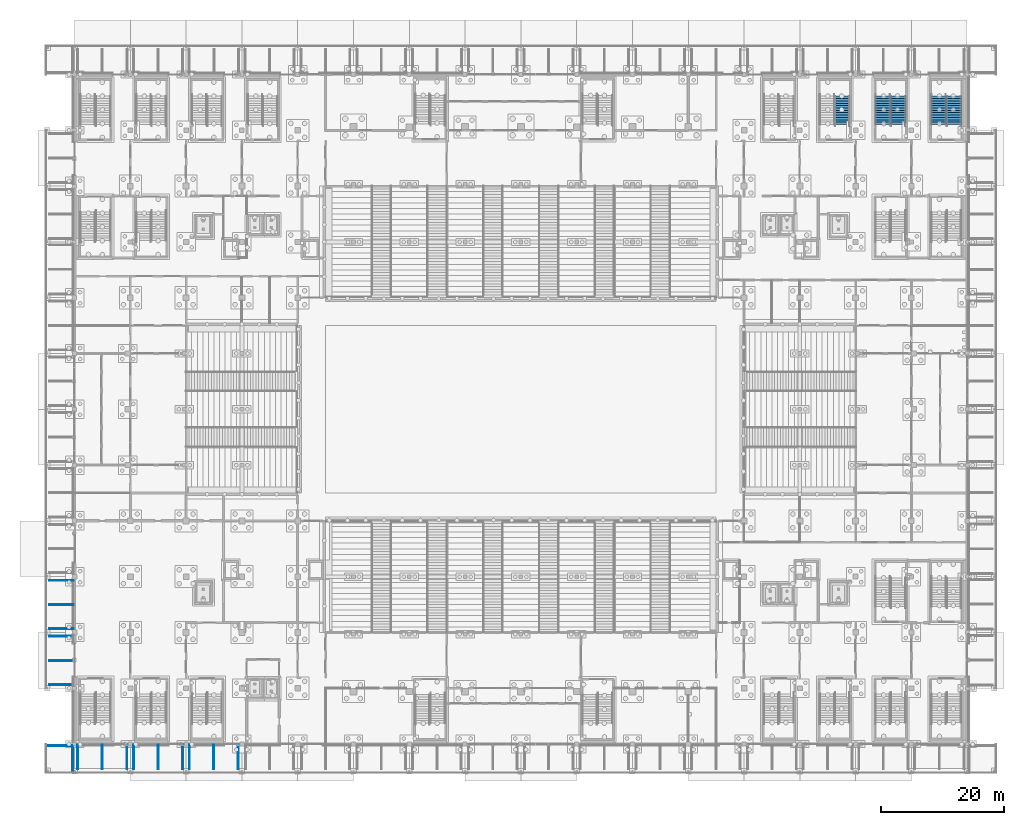
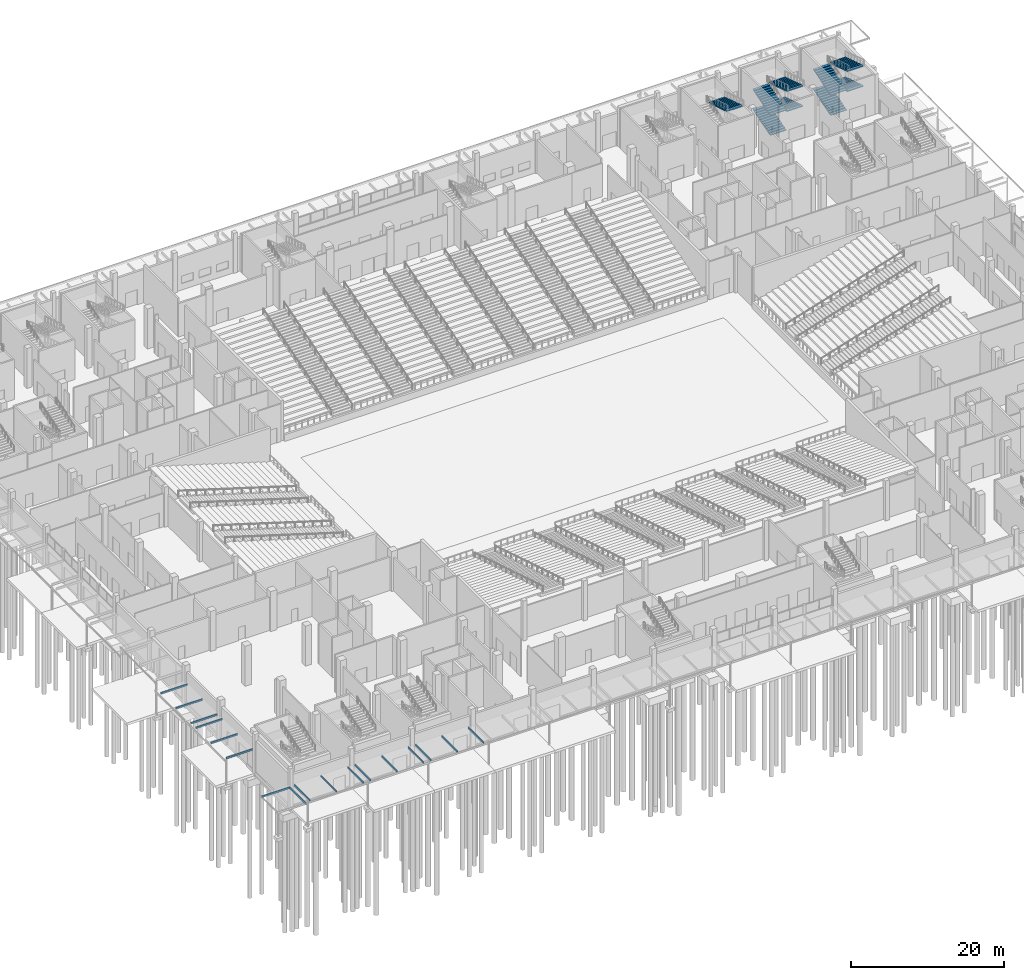
# One storey, part 94 of 129: 17 discrete accessories, 9 stair flights, 3 elements without a shape of their own.
"""IFC4 building model written with IfcOpenShell, lengths in metres."""

from ifc_helpers import new_model, si_unit, direction, frame, origin, origin_2d, place, context, subcontext, project, spatial, polyline, rectangle, outline, extrude, material, type_object, element, aggregate, save


model = new_model("IFC4")

# Units and contexts
model_context = context("Model", 3, precision=1e-05, world=origin(), true_north=direction((0.0, 1.0)))
body_context = subcontext(model_context, "Body", "Model", "MODEL_VIEW")
ifc_project = project(units=[si_unit("LENGTHUNIT", "METRE"), si_unit("AREAUNIT", "SQUARE_METRE"), si_unit("VOLUMEUNIT", "CUBIC_METRE"), si_unit("PLANEANGLEUNIT", "RADIAN"), si_unit("MASSUNIT", "GRAM", prefix="KILO")], contexts=[model_context])

# Site, building, storey
site_placement = place(None, origin())
site = spatial("IfcSite", under=ifc_project, at=site_placement, CompositionType="ELEMENT")
building_placement = place(site_placement, origin())
building = spatial("IfcBuilding", under=site, at=building_placement, Name="Shirokan Park Arena", CompositionType="ELEMENT")
storey_placement = place(building_placement, origin())
storey = spatial("IfcBuildingStorey", under=building, at=storey_placement, Name="L00", CompositionType="ELEMENT", Elevation=0.0)

# Stair, stair flights
ifc_material_1 = material(Name="Concrete C30 precast", Category="concrete")
stair_type = type_object("IfcStairType", Name="Stair 52 risers 122 x 385 2400 wide", PredefinedType="DOUBLE_RETURN_STAIR", material=ifc_material_1)
stair_1_placement = place(storey_placement, origin())
stair_1 = element("IfcStair", 1, at=stair_1_placement, inside=storey, type_object=stair_type, Name="Exit Stair 3.A L00 to L01", PredefinedType="DOUBLE_RETURN_STAIR")
stair_flight_type = type_object("IfcStairFlightType", Name="Stair flight 13 risers 122 x 385 2400 wide", PredefinedType="STRAIGHT", material=ifc_material_1)
stair_flight_1_placement = place(storey_placement, frame((140.949951171875, 101.050048828125, 0.0), z_axis=(0.0, 0.0, 1.0), x_axis=(0.0, 1.0, 0.0)))
stair_flight_1 = element("IfcStairFlight", 2, at=stair_flight_1_placement, type_object=stair_flight_type, Name="ST16.1 flight 1", NumberOfRisers=13, NumberOfTreads=12, PredefinedType="STRAIGHT", RiserHeight=0.1225, TreadLength=0.385, context=body_context, shape_type="SweptSolid", body=[
    extrude(outline(polyline([(0.0, 0.0), (0.0, 0.12255859375), (0.385009765625, 0.12255859375), (0.385009765625, 0.2451171875), (0.77001953125, 0.2451171875), (0.77001953125, 0.367431640625), (1.155029296875, 0.367431640625), (1.155029296875, 0.489990234375), (1.5400390625, 0.489990234375), (1.5400390625, 0.612548828125), (1.925048828125, 0.612548828125), (1.925048828125, 0.735107421875), (2.31005859375, 0.735107421875), (2.31005859375, 0.857421875), (2.695068359375, 0.857421875), (2.695068359375, 0.97998046875), (3.080078125, 0.97998046875), (3.080078125, 1.1025390625), (3.465087890625, 1.1025390625), (3.465087890625, 1.22509765625), (3.85009765625, 1.22509765625), (3.85009765625, 1.347412109375), (4.235107421875, 1.347412109375), (4.235107421875, 1.469970703125), (4.6201171875, 1.469970703125), (4.6201171875, 1.592529296875), (4.6201171875, 1.312744140625), (0.494384765625, 0.0), (0.0, 0.0)])), frame((0.0, 1.199951171875, 0.0), z_axis=(0.0, -1.0, 0.0), x_axis=(1.0, 0.0, 0.0)), (0.0, 0.0, 1.0), 2.39990234375),
])
stair_flight_2_placement = place(storey_placement, frame((143.449951171875, 105.669921875, 1.592529296875), z_axis=(0.0, 0.0, 1.0), x_axis=(0.0, -1.0, 0.0)))
stair_flight_2 = element("IfcStairFlight", 3, at=stair_flight_2_placement, type_object=stair_flight_type, Name="ST16.1 flight 2", NumberOfRisers=13, NumberOfTreads=12, PredefinedType="STRAIGHT", RiserHeight=0.1225, TreadLength=0.385, context=body_context, shape_type="SweptSolid", body=[
    extrude(outline(polyline([(0.0, 0.0), (0.0, 0.12255859375), (0.385009765625, 0.12255859375), (0.385009765625, 0.2451171875), (0.77001953125, 0.2451171875), (0.77001953125, 0.367431640625), (1.155029296875, 0.367431640625), (1.155029296875, 0.489990234375), (1.5400390625, 0.489990234375), (1.5400390625, 0.612548828125), (1.925048828125, 0.612548828125), (1.925048828125, 0.735107421875), (2.31005859375, 0.735107421875), (2.31005859375, 0.857421875), (2.695068359375, 0.857421875), (2.695068359375, 0.97998046875), (3.080078125, 0.97998046875), (3.080078125, 1.1025390625), (3.465087890625, 1.1025390625), (3.465087890625, 1.22509765625), (3.85009765625, 1.22509765625), (3.85009765625, 1.347412109375), (4.235107421875, 1.347412109375), (4.235107421875, 1.469970703125), (4.6201171875, 1.469970703125), (4.6201171875, 1.592529296875), (4.6201171875, 1.312744140625), (0.494384765625, 0.0), (0.0, 0.0)])), frame((0.0, 1.199951171875, 0.0), z_axis=(0.0, -1.0, 0.0), x_axis=(1.0, 0.0, 0.0)), (0.0, 0.0, 1.0), 2.39990234375),
])
stair_flight_3_placement = place(storey_placement, frame((140.949951171875, 101.050048828125, 3.18505859375), z_axis=(0.0, 0.0, 1.0), x_axis=(0.0, 1.0, 0.0)))
stair_flight_3 = element("IfcStairFlight", 4, at=stair_flight_3_placement, type_object=stair_flight_type, Name="ST16.1 flight 3", NumberOfRisers=13, NumberOfTreads=12, PredefinedType="STRAIGHT", RiserHeight=0.1225, TreadLength=0.385, context=body_context, shape_type="SweptSolid", body=[
    extrude(outline(polyline([(0.0, 0.0), (0.0, 0.12255859375), (0.385009765625, 0.12255859375), (0.385009765625, 0.2451171875), (0.77001953125, 0.2451171875), (0.77001953125, 0.367431640625), (1.155029296875, 0.367431640625), (1.155029296875, 0.489990234375), (1.5400390625, 0.489990234375), (1.5400390625, 0.612548828125), (1.925048828125, 0.612548828125), (1.925048828125, 0.735107421875), (2.31005859375, 0.735107421875), (2.31005859375, 0.857421875), (2.695068359375, 0.857421875), (2.695068359375, 0.97998046875), (3.080078125, 0.97998046875), (3.080078125, 1.1025390625), (3.465087890625, 1.1025390625), (3.465087890625, 1.22509765625), (3.85009765625, 1.22509765625), (3.85009765625, 1.347412109375), (4.235107421875, 1.347412109375), (4.235107421875, 1.469970703125), (4.6201171875, 1.469970703125), (4.6201171875, 1.592529296875), (4.6201171875, 1.312744140625), (0.494384765625, 0.0), (0.0, 0.0)])), frame((0.0, 1.199951171875, 0.0), z_axis=(0.0, -1.0, 0.0), x_axis=(1.0, 0.0, 0.0)), (0.0, 0.0, 1.0), 2.39990234375),
])
stair_flight_4_placement = place(storey_placement, frame((143.449951171875, 105.669921875, 4.777587890625), z_axis=(0.0, 0.0, 1.0), x_axis=(0.0, -1.0, 0.0)))
stair_flight_4 = element("IfcStairFlight", 5, at=stair_flight_4_placement, type_object=stair_flight_type, Name="ST16.1 flight 4", NumberOfRisers=13, NumberOfTreads=12, PredefinedType="STRAIGHT", RiserHeight=0.1225, TreadLength=0.385, context=body_context, shape_type="SweptSolid", body=[
    extrude(outline(polyline([(0.0, 0.0), (0.0, 0.12255859375), (0.385009765625, 0.12255859375), (0.385009765625, 0.2451171875), (0.77001953125, 0.2451171875), (0.77001953125, 0.367431640625), (1.155029296875, 0.367431640625), (1.155029296875, 0.489990234375), (1.5400390625, 0.489990234375), (1.5400390625, 0.612548828125), (1.925048828125, 0.612548828125), (1.925048828125, 0.735107421875), (2.31005859375, 0.735107421875), (2.31005859375, 0.857421875), (2.695068359375, 0.857421875), (2.695068359375, 0.97998046875), (3.080078125, 0.97998046875), (3.080078125, 1.1025390625), (3.465087890625, 1.1025390625), (3.465087890625, 1.22509765625), (3.85009765625, 1.22509765625), (3.85009765625, 1.347412109375), (4.235107421875, 1.347412109375), (4.235107421875, 1.469970703125), (4.6201171875, 1.469970703125), (4.6201171875, 1.592529296875), (4.6201171875, 1.312744140625), (0.494384765625, 0.0), (0.0, 0.0)])), frame((0.0, 1.199951171875, 0.0), z_axis=(0.0, -1.0, 0.0), x_axis=(1.0, 0.0, 0.0)), (0.0, 0.0, 1.0), 2.39990234375),
])
aggregate(stair_1, [stair_flight_1, stair_flight_2, stair_flight_3, stair_flight_4])

stair_2_placement = place(storey_placement, origin())
stair_2 = element("IfcStair", 6, at=stair_2_placement, inside=storey, type_object=stair_type, Name="Exit Stair 3.B L00 to L01", PredefinedType="DOUBLE_RETURN_STAIR")
stair_flight_5_placement = place(storey_placement, frame((131.85009765625, 101.050048828125, 0.0), z_axis=(0.0, 0.0, 1.0), x_axis=(0.0, 1.0, 0.0)))
stair_flight_5 = element("IfcStairFlight", 7, at=stair_flight_5_placement, type_object=stair_flight_type, Name="ST17.1 flight 1", NumberOfRisers=13, NumberOfTreads=12, PredefinedType="STRAIGHT", RiserHeight=0.1225, TreadLength=0.385, context=body_context, shape_type="SweptSolid", body=[
    extrude(outline(polyline([(0.0, 0.0), (0.0, 0.12255859375), (0.385009765625, 0.12255859375), (0.385009765625, 0.2451171875), (0.77001953125, 0.2451171875), (0.77001953125, 0.367431640625), (1.155029296875, 0.367431640625), (1.155029296875, 0.489990234375), (1.5400390625, 0.489990234375), (1.5400390625, 0.612548828125), (1.925048828125, 0.612548828125), (1.925048828125, 0.735107421875), (2.31005859375, 0.735107421875), (2.31005859375, 0.857421875), (2.695068359375, 0.857421875), (2.695068359375, 0.97998046875), (3.080078125, 0.97998046875), (3.080078125, 1.1025390625), (3.465087890625, 1.1025390625), (3.465087890625, 1.22509765625), (3.85009765625, 1.22509765625), (3.85009765625, 1.347412109375), (4.235107421875, 1.347412109375), (4.235107421875, 1.469970703125), (4.6201171875, 1.469970703125), (4.6201171875, 1.592529296875), (4.6201171875, 1.312744140625), (0.494384765625, 0.0), (0.0, 0.0)])), frame((0.0, 1.199951171875, 0.0), z_axis=(0.0, -1.0, 0.0), x_axis=(1.0, 0.0, 0.0)), (0.0, 0.0, 1.0), 2.39990234375),
])
stair_flight_6_placement = place(storey_placement, frame((134.35009765625, 105.669921875, 1.592529296875), z_axis=(0.0, 0.0, 1.0), x_axis=(0.0, -1.0, 0.0)))
stair_flight_6 = element("IfcStairFlight", 8, at=stair_flight_6_placement, type_object=stair_flight_type, Name="ST17.1 flight 2", NumberOfRisers=13, NumberOfTreads=12, PredefinedType="STRAIGHT", RiserHeight=0.1225, TreadLength=0.385, context=body_context, shape_type="SweptSolid", body=[
    extrude(outline(polyline([(0.0, 0.0), (0.0, 0.12255859375), (0.385009765625, 0.12255859375), (0.385009765625, 0.2451171875), (0.77001953125, 0.2451171875), (0.77001953125, 0.367431640625), (1.155029296875, 0.367431640625), (1.155029296875, 0.489990234375), (1.5400390625, 0.489990234375), (1.5400390625, 0.612548828125), (1.925048828125, 0.612548828125), (1.925048828125, 0.735107421875), (2.31005859375, 0.735107421875), (2.31005859375, 0.857421875), (2.695068359375, 0.857421875), (2.695068359375, 0.97998046875), (3.080078125, 0.97998046875), (3.080078125, 1.1025390625), (3.465087890625, 1.1025390625), (3.465087890625, 1.22509765625), (3.85009765625, 1.22509765625), (3.85009765625, 1.347412109375), (4.235107421875, 1.347412109375), (4.235107421875, 1.469970703125), (4.6201171875, 1.469970703125), (4.6201171875, 1.592529296875), (4.6201171875, 1.312744140625), (0.494384765625, 0.0), (0.0, 0.0)])), frame((0.0, 1.199951171875, 0.0), z_axis=(0.0, -1.0, 0.0), x_axis=(1.0, 0.0, 0.0)), (0.0, 0.0, 1.0), 2.39990234375),
])
stair_flight_7_placement = place(storey_placement, frame((131.85009765625, 101.050048828125, 3.18505859375), z_axis=(0.0, 0.0, 1.0), x_axis=(0.0, 1.0, 0.0)))
stair_flight_7 = element("IfcStairFlight", 9, at=stair_flight_7_placement, type_object=stair_flight_type, Name="ST17.1 flight 3", NumberOfRisers=13, NumberOfTreads=12, PredefinedType="STRAIGHT", RiserHeight=0.1225, TreadLength=0.385, context=body_context, shape_type="SweptSolid", body=[
    extrude(outline(polyline([(0.0, 0.0), (0.0, 0.12255859375), (0.385009765625, 0.12255859375), (0.385009765625, 0.2451171875), (0.77001953125, 0.2451171875), (0.77001953125, 0.367431640625), (1.155029296875, 0.367431640625), (1.155029296875, 0.489990234375), (1.5400390625, 0.489990234375), (1.5400390625, 0.612548828125), (1.925048828125, 0.612548828125), (1.925048828125, 0.735107421875), (2.31005859375, 0.735107421875), (2.31005859375, 0.857421875), (2.695068359375, 0.857421875), (2.695068359375, 0.97998046875), (3.080078125, 0.97998046875), (3.080078125, 1.1025390625), (3.465087890625, 1.1025390625), (3.465087890625, 1.22509765625), (3.85009765625, 1.22509765625), (3.85009765625, 1.347412109375), (4.235107421875, 1.347412109375), (4.235107421875, 1.469970703125), (4.6201171875, 1.469970703125), (4.6201171875, 1.592529296875), (4.6201171875, 1.312744140625), (0.494384765625, 0.0), (0.0, 0.0)])), frame((0.0, 1.199951171875, 0.0), z_axis=(0.0, -1.0, 0.0), x_axis=(1.0, 0.0, 0.0)), (0.0, 0.0, 1.0), 2.39990234375),
])
stair_flight_8_placement = place(storey_placement, frame((134.35009765625, 105.669921875, 4.777587890625), z_axis=(0.0, 0.0, 1.0), x_axis=(0.0, -1.0, 0.0)))
stair_flight_8 = element("IfcStairFlight", 10, at=stair_flight_8_placement, type_object=stair_flight_type, Name="ST17.1 flight 4", NumberOfRisers=13, NumberOfTreads=12, PredefinedType="STRAIGHT", RiserHeight=0.1225, TreadLength=0.385, context=body_context, shape_type="SweptSolid", body=[
    extrude(outline(polyline([(0.0, 0.0), (0.0, 0.12255859375), (0.385009765625, 0.12255859375), (0.385009765625, 0.2451171875), (0.77001953125, 0.2451171875), (0.77001953125, 0.367431640625), (1.155029296875, 0.367431640625), (1.155029296875, 0.489990234375), (1.5400390625, 0.489990234375), (1.5400390625, 0.612548828125), (1.925048828125, 0.612548828125), (1.925048828125, 0.735107421875), (2.31005859375, 0.735107421875), (2.31005859375, 0.857421875), (2.695068359375, 0.857421875), (2.695068359375, 0.97998046875), (3.080078125, 0.97998046875), (3.080078125, 1.1025390625), (3.465087890625, 1.1025390625), (3.465087890625, 1.22509765625), (3.85009765625, 1.22509765625), (3.85009765625, 1.347412109375), (4.235107421875, 1.347412109375), (4.235107421875, 1.469970703125), (4.6201171875, 1.469970703125), (4.6201171875, 1.592529296875), (4.6201171875, 1.312744140625), (0.494384765625, 0.0), (0.0, 0.0)])), frame((0.0, 1.199951171875, 0.0), z_axis=(0.0, -1.0, 0.0), x_axis=(1.0, 0.0, 0.0)), (0.0, 0.0, 1.0), 2.39990234375),
])
aggregate(stair_2, [stair_flight_5, stair_flight_6, stair_flight_7, stair_flight_8])

# Stair, stair flight
stair_3_placement = place(storey_placement, origin())
stair_3 = element("IfcStair", 11, at=stair_3_placement, inside=storey, type_object=stair_type, Name="Exit Stair 3.C L00 to L01", PredefinedType="DOUBLE_RETURN_STAIR")
stair_flight_9_placement = place(storey_placement, frame((125.25, 105.669921875, 4.777587890625), z_axis=(0.0, 0.0, 1.0), x_axis=(0.0, -1.0, 0.0)))
stair_flight_9 = element("IfcStairFlight", 12, at=stair_flight_9_placement, type_object=stair_flight_type, Name="ST18.1 flight 4", NumberOfRisers=13, NumberOfTreads=12, PredefinedType="STRAIGHT", RiserHeight=0.1225, TreadLength=0.385, context=body_context, shape_type="SweptSolid", body=[
    extrude(outline(polyline([(0.0, 0.0), (0.0, 0.12255859375), (0.385009765625, 0.12255859375), (0.385009765625, 0.2451171875), (0.77001953125, 0.2451171875), (0.77001953125, 0.367431640625), (1.155029296875, 0.367431640625), (1.155029296875, 0.489990234375), (1.5400390625, 0.489990234375), (1.5400390625, 0.612548828125), (1.925048828125, 0.612548828125), (1.925048828125, 0.735107421875), (2.31005859375, 0.735107421875), (2.31005859375, 0.857421875), (2.695068359375, 0.857421875), (2.695068359375, 0.97998046875), (3.080078125, 0.97998046875), (3.080078125, 1.1025390625), (3.465087890625, 1.1025390625), (3.465087890625, 1.22509765625), (3.85009765625, 1.22509765625), (3.85009765625, 1.347412109375), (4.235107421875, 1.347412109375), (4.235107421875, 1.469970703125), (4.6201171875, 1.469970703125), (4.6201171875, 1.592529296875), (4.6201171875, 1.312744140625), (0.494384765625, 0.0), (0.0, 0.0)])), frame((0.0, 1.199951171875, 0.0), z_axis=(0.0, -1.0, 0.0), x_axis=(1.0, 0.0, 0.0)), (0.0, 0.0, 1.0), 2.39990234375),
])
aggregate(stair_3, [stair_flight_9])

# Discrete accessories
ifc_material_2 = material(Name="Steel S355", Category="steel")
discrete_accessory_type = type_object("IfcDiscreteAccessoryType", Name="Canopy bracket 150x250", PredefinedType="BRACKET", material=ifc_material_2)
for number, where, z_axis, x_axis, name in (
    (13, (0.5, -2.14990234375, 3.35009765625), (0.0, 0.0, 1.0), (1.0, 0.0, 0.0), "Canopy bracket south bay 1 1"),
    (14, (4.52490234375, -2.14990234375, 3.35009765625), (0.0, 0.0, 1.0), (1.0, 0.0, 0.0), "Canopy bracket south bay 1 2"),
    (15, (8.550048828125, -2.14990234375, 3.35009765625), (0.0, 0.0, 1.0), (1.0, 0.0, 0.0), "Canopy bracket south bay 1 3"),
    (16, (9.64990234375, -2.14990234375, 3.35009765625), (0.0, 0.0, 1.0), (1.0, 0.0, 0.0), "Canopy bracket south bay 2 1"),
    (17, (13.64990234375, -2.14990234375, 3.35009765625), (0.0, 0.0, 1.0), (1.0, 0.0, 0.0), "Canopy bracket south bay 2 2"),
    (18, (17.64990234375, -2.14990234375, 3.35009765625), (0.0, 0.0, 1.0), (1.0, 0.0, 0.0), "Canopy bracket south bay 2 3"),
    (19, (18.75, -2.14990234375, 3.35009765625), (0.0, 0.0, 1.0), (1.0, 0.0, 0.0), "Canopy bracket south bay 3 1"),
    (20, (22.72509765625, -2.14990234375, 3.35009765625), (0.0, 0.0, 1.0), (1.0, 0.0, 0.0), "Canopy bracket south bay 3 2"),
    (21, (26.699951171875, -2.14990234375, 3.35009765625), (0.0, 0.0, 1.0), (1.0, 0.0, 0.0), "Canopy bracket south bay 3 3"),
    (22, (-2.14990234375, 26.675048828125, 3.35009765625), (0.0, 0.0, 1.0), (0.0, -1.0, 0.0), "Canopy bracket west bay 10 1"),
    (23, (-2.14990234375, 22.75, 3.35009765625), (0.0, 0.0, 1.0), (0.0, -1.0, 0.0), "Canopy bracket west bay 10 2"),
    (24, (-2.14990234375, 18.824951171875, 3.35009765625), (0.0, 0.0, 1.0), (0.0, -1.0, 0.0), "Canopy bracket west bay 10 3"),
    (25, (-2.14990234375, 17.574951171875, 3.35009765625), (0.0, 0.0, 1.0), (0.0, -1.0, 0.0), "Canopy bracket west bay 11 1"),
    (26, (-2.14990234375, 13.612548828125, 3.35009765625), (0.0, 0.0, 1.0), (0.0, -1.0, 0.0), "Canopy bracket west bay 11 2"),
    (27, (-2.14990234375, 9.64990234375, 3.35009765625), (0.0, 0.0, 1.0), (0.0, -1.0, 0.0), "Canopy bracket west bay 11 3"),
):
    element("IfcDiscreteAccessory", number, at=place(storey_placement, frame(where, z_axis=z_axis, x_axis=x_axis)), inside=storey, type_object=discrete_accessory_type, Name=name, PredefinedType="BRACKET", context=body_context, shape_type="SweptSolid", body=[
        extrude(rectangle(XDim=0.14990234375, YDim=4.0, at=origin_2d()), origin(), (0.0, 0.0, 1.0), 0.25),
    ])
discrete_accessory_1_placement = place(storey_placement, frame((-2.39990234375, -0.300048828125, 3.35009765625), z_axis=(0.0, 0.0, 1.0), x_axis=(1.0, 0.0, 0.0)))
element("IfcDiscreteAccessory", 28, at=discrete_accessory_1_placement, inside=storey, type_object=discrete_accessory_type, Name="Canopy bracket SW corner 1", PredefinedType="BRACKET", context=body_context, shape_type="SweptSolid", body=[
    extrude(rectangle(XDim=4.300048828125, YDim=0.14990234375, at=origin_2d()), origin(), (0.0, 0.0, 1.0), 0.25),
])
discrete_accessory_2_placement = place(storey_placement, frame((-0.300048828125, -2.39990234375, 3.35009765625), z_axis=(0.0, 0.0, 1.0), x_axis=(1.0, 0.0, 0.0)))
element("IfcDiscreteAccessory", 29, at=discrete_accessory_2_placement, inside=storey, type_object=discrete_accessory_type, Name="Canopy bracket SW corner 2", PredefinedType="BRACKET", context=body_context, shape_type="SweptSolid", body=[
    extrude(rectangle(XDim=0.14990234375, YDim=4.300048828125, at=origin_2d()), origin(), (0.0, 0.0, 1.0), 0.25),
])

save(model, "model.ifc")
